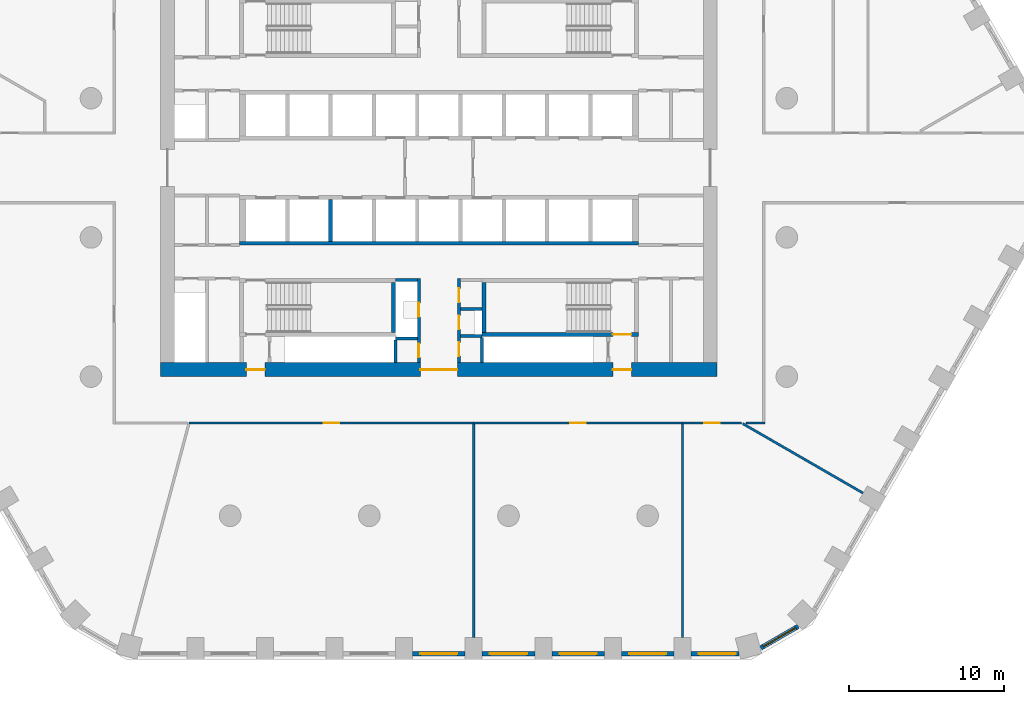
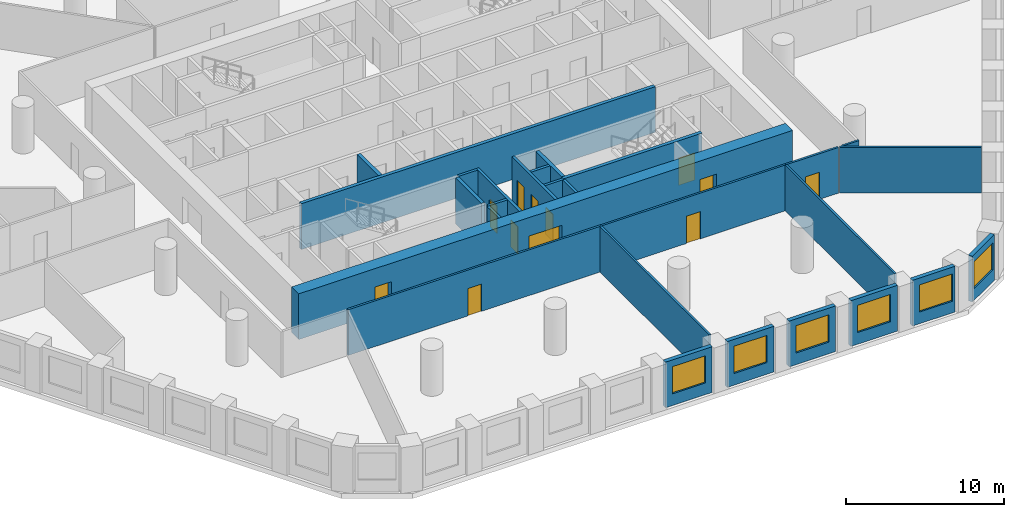
# One storey, part 3 of 10: 27 walls, 12 doors, 6 windows, 18 openings.
"""IFC4 building model written with IfcOpenShell, lengths in metres."""

from ifc_helpers import new_model, si_unit, direction, frame, frame_2d, origin, place, context, subcontext, project, spatial, polyline, rectangle, outline, extrude, material, layer, layer_set, type_object, element, fill, save


model = new_model("IFC4")

# Units and contexts
model_context = context("Model", 3, precision=1e-05, world=origin(), true_north=direction((0.0, 1.0)))
body_context = subcontext(model_context, "Body", "Model", "MODEL_VIEW")
ifc_project = project(units=[si_unit("LENGTHUNIT", "METRE"), si_unit("AREAUNIT", "SQUARE_METRE"), si_unit("VOLUMEUNIT", "CUBIC_METRE"), si_unit("PLANEANGLEUNIT", "RADIAN"), si_unit("MASSUNIT", "GRAM", prefix="KILO")], contexts=[model_context])

# Site, building, storey
site_placement = place(None, origin())
site = spatial("IfcSite", under=ifc_project, at=site_placement, CompositionType="ELEMENT")
building_placement = place(site_placement, origin())
building = spatial("IfcBuilding", under=site, at=building_placement, Name="Dhurran Vertical Campus", CompositionType="ELEMENT")
storey_placement = place(building_placement, frame((0.0, 0.0, 57.300048828125)))
storey = spatial("IfcBuildingStorey", under=building, at=storey_placement, Name="L13", CompositionType="ELEMENT", Elevation=57.300048828125)

# Wall, opening, window
ifc_material_1 = material(Name="Precast concrete C50/60", Category="concrete")
ifc_layer_1 = layer(ifc_material_1, 0.300048828125)
ifc_layer_set_1 = layer_set([ifc_layer_1], Name="Precast concrete C50/60")
wall_type_1 = type_object("IfcWallType", Name="Precast spandrel wall 300", PredefinedType="SOLIDWALL", material=ifc_layer_set_1)
wall_1_placement = place(storey_placement, frame((-1.699462890625, -31.4296875, 0.0), z_axis=(0.0, 0.0, 1.0), x_axis=(1.0, 0.0, 0.0)))
wall_1 = element("IfcWall", 1, at=wall_1_placement, inside=storey, type_object=wall_type_1, Name="EW1 L13.04", PredefinedType="SOLIDWALL", context=body_context, shape_type="SweptSolid", body=[
    extrude(rectangle(XDim=3.39892578125, YDim=0.300048828125, at=frame_2d((1.699462890625, 0.0))), origin(), (0.0, 0.0, 1.0), 3.52490234375),
])
opening_1_placement = place(wall_1_placement, frame((0.49951171875, 0.0, 0.89990234375)))
opening_1 = element("IfcOpeningElement", 2, at=opening_1_placement, cuts=wall_1, Name="Opening WT1", PredefinedType="OPENING", context=body_context, shape_type="SweptSolid", body=[
    extrude(rectangle(XDim=2.39990234375, YDim=2.10009765625, at=frame_2d((1.199951171875, 1.050048828125))), frame((0.0, 0.159912109375, 0.0), z_axis=(0.0, -1.0, 0.0), x_axis=(1.0, 0.0, 0.0)), (0.0, 0.0, 1.0), 0.320068359375),
])
ifc_material_2 = material(Name="Aluminium frame with solar-control glass", Category="aluminium")
window_type = type_object("IfcWindowType", Name="Punched window 2400 x 2100", PartitioningType="SINGLE_PANEL", PredefinedType="WINDOW", material=ifc_material_2)
window_1_placement = place(opening_1_placement, origin())
window_1 = element("IfcWindow", 3, at=window_1_placement, inside=storey, type_object=window_type, Name="WT1 L13.04", OverallHeight=2.10009765625, OverallWidth=2.39990234375, PartitioningType="SINGLE_PANEL", PredefinedType="WINDOW", context=body_context, shape_type="SweptSolid", body=[
    extrude(rectangle(XDim=2.39990234375, YDim=2.10009765625, at=frame_2d((1.199951171875, 1.050048828125))), frame((0.0, 0.030029296875, 0.0), z_axis=(0.0, -1.0, 0.0), x_axis=(1.0, 0.0, 0.0)), (0.0, 0.0, 1.0), 0.06005859375),
])
fill(opening_1, window_1)

wall_2_placement = place(storey_placement, frame((2.800537109375, -31.4296875, 0.0), z_axis=(0.0, 0.0, 1.0), x_axis=(1.0, 0.0, 0.0)))
wall_2 = element("IfcWall", 4, at=wall_2_placement, inside=storey, type_object=wall_type_1, Name="EW1 L13.05", PredefinedType="SOLIDWALL", context=body_context, shape_type="SweptSolid", body=[
    extrude(rectangle(XDim=3.39892578125, YDim=0.300048828125, at=frame_2d((1.699462890625, 0.0))), origin(), (0.0, 0.0, 1.0), 3.52490234375),
])
opening_2_placement = place(wall_2_placement, frame((0.49951171875, 0.0, 0.89990234375)))
opening_2 = element("IfcOpeningElement", 5, at=opening_2_placement, cuts=wall_2, Name="Opening WT1", PredefinedType="OPENING", context=body_context, shape_type="SweptSolid", body=[
    extrude(rectangle(XDim=2.39990234375, YDim=2.10009765625, at=frame_2d((1.199951171875, 1.050048828125))), frame((0.0, 0.159912109375, 0.0), z_axis=(0.0, -1.0, 0.0), x_axis=(1.0, 0.0, 0.0)), (0.0, 0.0, 1.0), 0.320068359375),
])
window_2_placement = place(opening_2_placement, origin())
window_2 = element("IfcWindow", 6, at=window_2_placement, inside=storey, type_object=window_type, Name="WT1 L13.05", OverallHeight=2.10009765625, OverallWidth=2.39990234375, PartitioningType="SINGLE_PANEL", PredefinedType="WINDOW", context=body_context, shape_type="SweptSolid", body=[
    extrude(rectangle(XDim=2.39990234375, YDim=2.10009765625, at=frame_2d((1.199951171875, 1.050048828125))), frame((0.0, 0.030029296875, 0.0), z_axis=(0.0, -1.0, 0.0), x_axis=(1.0, 0.0, 0.0)), (0.0, 0.0, 1.0), 0.06005859375),
])
fill(opening_2, window_2)

wall_3_placement = place(storey_placement, frame((7.300537109375, -31.4296875, 0.0), z_axis=(0.0, 0.0, 1.0), x_axis=(1.0, 0.0, 0.0)))
wall_3 = element("IfcWall", 7, at=wall_3_placement, inside=storey, type_object=wall_type_1, Name="EW1 L13.06", PredefinedType="SOLIDWALL", context=body_context, shape_type="SweptSolid", body=[
    extrude(rectangle(XDim=3.39892578125, YDim=0.300048828125, at=frame_2d((1.699462890625, 0.0))), origin(), (0.0, 0.0, 1.0), 3.52490234375),
])
opening_3_placement = place(wall_3_placement, frame((0.49951171875, 0.0, 0.89990234375)))
opening_3 = element("IfcOpeningElement", 8, at=opening_3_placement, cuts=wall_3, Name="Opening WT1", PredefinedType="OPENING", context=body_context, shape_type="SweptSolid", body=[
    extrude(rectangle(XDim=2.39990234375, YDim=2.10009765625, at=frame_2d((1.199951171875, 1.050048828125))), frame((0.0, 0.159912109375, 0.0), z_axis=(0.0, -1.0, 0.0), x_axis=(1.0, 0.0, 0.0)), (0.0, 0.0, 1.0), 0.320068359375),
])
window_3_placement = place(opening_3_placement, origin())
window_3 = element("IfcWindow", 9, at=window_3_placement, inside=storey, type_object=window_type, Name="WT1 L13.06", OverallHeight=2.10009765625, OverallWidth=2.39990234375, PartitioningType="SINGLE_PANEL", PredefinedType="WINDOW", context=body_context, shape_type="SweptSolid", body=[
    extrude(rectangle(XDim=2.39990234375, YDim=2.10009765625, at=frame_2d((1.199951171875, 1.050048828125))), frame((0.0, 0.030029296875, 0.0), z_axis=(0.0, -1.0, 0.0), x_axis=(1.0, 0.0, 0.0)), (0.0, 0.0, 1.0), 0.06005859375),
])
fill(opening_3, window_3)

wall_4_placement = place(storey_placement, frame((11.800537109375, -31.4296875, 0.0), z_axis=(0.0, 0.0, 1.0), x_axis=(1.0, 0.0, 0.0)))
wall_4 = element("IfcWall", 10, at=wall_4_placement, inside=storey, type_object=wall_type_1, Name="EW1 L13.07", PredefinedType="SOLIDWALL", context=body_context, shape_type="SweptSolid", body=[
    extrude(rectangle(XDim=3.39892578125, YDim=0.300048828125, at=frame_2d((1.699462890625, 0.0))), origin(), (0.0, 0.0, 1.0), 3.52490234375),
])
opening_4_placement = place(wall_4_placement, frame((0.49951171875, 0.0, 0.89990234375)))
opening_4 = element("IfcOpeningElement", 11, at=opening_4_placement, cuts=wall_4, Name="Opening WT1", PredefinedType="OPENING", context=body_context, shape_type="SweptSolid", body=[
    extrude(rectangle(XDim=2.39990234375, YDim=2.10009765625, at=frame_2d((1.199951171875, 1.050048828125))), frame((0.0, 0.159912109375, 0.0), z_axis=(0.0, -1.0, 0.0), x_axis=(1.0, 0.0, 0.0)), (0.0, 0.0, 1.0), 0.320068359375),
])
window_4_placement = place(opening_4_placement, origin())
window_4 = element("IfcWindow", 12, at=window_4_placement, inside=storey, type_object=window_type, Name="WT1 L13.07", OverallHeight=2.10009765625, OverallWidth=2.39990234375, PartitioningType="SINGLE_PANEL", PredefinedType="WINDOW", context=body_context, shape_type="SweptSolid", body=[
    extrude(rectangle(XDim=2.39990234375, YDim=2.10009765625, at=frame_2d((1.199951171875, 1.050048828125))), frame((0.0, 0.030029296875, 0.0), z_axis=(0.0, -1.0, 0.0), x_axis=(1.0, 0.0, 0.0)), (0.0, 0.0, 1.0), 0.06005859375),
])
fill(opening_4, window_4)

wall_5_placement = place(storey_placement, frame((16.300537109375, -31.4296875, 0.0), z_axis=(0.0, 0.0, 1.0), x_axis=(1.0, 0.0, 0.0)))
wall_5 = element("IfcWall", 13, at=wall_5_placement, inside=storey, type_object=wall_type_1, Name="EW1 L13.08", PredefinedType="SOLIDWALL", context=body_context, shape_type="SweptSolid", body=[
    extrude(rectangle(XDim=3.090576171875, YDim=0.300048828125, at=frame_2d((1.54541015625, 0.0))), origin(), (0.0, 0.0, 1.0), 3.52490234375),
])
opening_5_placement = place(wall_5_placement, frame((0.49951171875, 0.0, 0.89990234375)))
opening_5 = element("IfcOpeningElement", 14, at=opening_5_placement, cuts=wall_5, Name="Opening WT1", PredefinedType="OPENING", context=body_context, shape_type="SweptSolid", body=[
    extrude(rectangle(XDim=2.39990234375, YDim=2.10009765625, at=frame_2d((1.199951171875, 1.050048828125))), frame((0.0, 0.159912109375, 0.0), z_axis=(0.0, -1.0, 0.0), x_axis=(1.0, 0.0, 0.0)), (0.0, 0.0, 1.0), 0.320068359375),
])
window_5_placement = place(opening_5_placement, origin())
window_5 = element("IfcWindow", 15, at=window_5_placement, inside=storey, type_object=window_type, Name="WT1 L13.08", OverallHeight=2.10009765625, OverallWidth=2.39990234375, PartitioningType="SINGLE_PANEL", PredefinedType="WINDOW", context=body_context, shape_type="SweptSolid", body=[
    extrude(rectangle(XDim=2.39990234375, YDim=2.10009765625, at=frame_2d((1.199951171875, 1.050048828125))), frame((0.0, 0.030029296875, 0.0), z_axis=(0.0, -1.0, 0.0), x_axis=(1.0, 0.0, 0.0)), (0.0, 0.0, 1.0), 0.06005859375),
])
fill(opening_5, window_5)

wall_6_placement = place(storey_placement, frame((20.81884765625, -31.047119140625, 0.0), z_axis=(0.0, 0.0, 1.0), x_axis=(0.866020456713, 0.500008568482, 0.0)))
wall_6 = element("IfcWall", 16, at=wall_6_placement, inside=storey, type_object=wall_type_1, Name="EW1 L13.09", PredefinedType="SOLIDWALL", context=body_context, shape_type="SweptSolid", body=[
    extrude(rectangle(XDim=2.7822265625, YDim=0.300048828125, at=frame_2d((1.39111328125, 0.0))), origin(), (0.0, 0.0, 1.0), 3.52490234375),
])
opening_6_placement = place(wall_6_placement, frame((0.191162109375, 0.0, 0.89990234375)))
opening_6 = element("IfcOpeningElement", 17, at=opening_6_placement, cuts=wall_6, Name="Opening WT1", PredefinedType="OPENING", context=body_context, shape_type="SweptSolid", body=[
    extrude(rectangle(XDim=2.39990234375, YDim=2.10009765625, at=frame_2d((1.199951171875, 1.050048828125))), frame((0.0, 0.159912109375, 0.0), z_axis=(0.0, -1.0, 0.0), x_axis=(1.0, 0.0, 0.0)), (0.0, 0.0, 1.0), 0.320068359375),
])
window_6_placement = place(opening_6_placement, origin())
window_6 = element("IfcWindow", 18, at=window_6_placement, inside=storey, type_object=window_type, Name="WT1 L13.09", OverallHeight=2.10009765625, OverallWidth=2.39990234375, PartitioningType="SINGLE_PANEL", PredefinedType="WINDOW", context=body_context, shape_type="SweptSolid", body=[
    extrude(rectangle(XDim=2.39990234375, YDim=2.10009765625, at=frame_2d((1.199951171875, 1.050048828125))), frame((0.0, 0.030029296875, 0.0), z_axis=(0.0, -1.0, 0.0), x_axis=(1.0, 0.0, 0.0)), (0.0, 0.0, 1.0), 0.06005859375),
])
fill(opening_6, window_6)

# Wall, openings, doors
ifc_material_3 = material(Name="Concrete C60/75", Category="concrete")
ifc_layer_2 = layer(ifc_material_3, 0.89990234375)
ifc_layer_set_2 = layer_set([ifc_layer_2], Name="Concrete C60/75")
wall_type_2 = type_object("IfcWallType", Name="co-CORE-WALL-C0-900", PredefinedType="SHEAR", material=ifc_layer_set_2)
wall_7_placement = place(storey_placement, frame((-18.0, -13.050048828125, 0.0), z_axis=(0.0, 0.0, 1.0), x_axis=(1.0, 0.0, 0.0)))
wall_7 = element("IfcWall", 19, at=wall_7_placement, inside=storey, type_object=wall_type_2, Name="Core wall S L13", PredefinedType="SHEAR", context=body_context, shape_type="SweptSolid", body=[
    extrude(rectangle(XDim=36.0, YDim=0.89990234375, at=frame_2d((18.0, 0.0))), origin(), (0.0, 0.0, 1.0), 3.52490234375),
])
opening_7_placement = place(wall_7_placement, frame((16.800048828125, 0.0, 0.0)))
opening_7 = element("IfcOpeningElement", 20, at=opening_7_placement, cuts=wall_7, Name="Opening CV2", PredefinedType="OPENING", context=body_context, shape_type="SweptSolid", body=[
    extrude(rectangle(XDim=2.39990234375, YDim=2.10009765625, at=frame_2d((1.199951171875, 1.050048828125))), frame((0.0, 0.4599609375, 0.0), z_axis=(0.0, -1.0, 0.0), x_axis=(1.0, 0.0, 0.0)), (0.0, 0.0, 1.0), 0.919921875),
])
opening_8_placement = place(wall_7_placement, frame((5.550048828125, 0.0, 0.0)))
opening_8 = element("IfcOpeningElement", 21, at=opening_8_placement, cuts=wall_7, Name="Opening XD3", PredefinedType="OPENING", context=body_context, shape_type="SweptSolid", body=[
    extrude(rectangle(XDim=1.199951171875, YDim=2.10009765625, at=frame_2d((0.60009765625, 1.050048828125))), frame((0.0, 0.4599609375, 0.0), z_axis=(0.0, -1.0, 0.0), x_axis=(1.0, 0.0, 0.0)), (0.0, 0.0, 1.0), 0.919921875),
])
opening_9_placement = place(wall_7_placement, frame((29.25, 0.0, 0.0)))
opening_9 = element("IfcOpeningElement", 22, at=opening_9_placement, cuts=wall_7, Name="Opening XD4", PredefinedType="OPENING", context=body_context, shape_type="SweptSolid", body=[
    extrude(rectangle(XDim=1.199951171875, YDim=2.10009765625, at=frame_2d((0.60009765625, 1.050048828125))), frame((0.0, 0.4599609375, 0.0), z_axis=(0.0, -1.0, 0.0), x_axis=(1.0, 0.0, 0.0)), (0.0, 0.0, 1.0), 0.919921875),
])
ifc_material_4 = material(Name="Fire-rated glazed door set")
door_type_1 = type_object("IfcDoorType", Name="co-D-LOBBY 2400x2100", OperationType="DOUBLE_DOOR_DOUBLE_SWING", PredefinedType="DOOR", material=ifc_material_4)
door_1_placement = place(opening_7_placement, origin())
door_1 = element("IfcDoor", 23, at=door_1_placement, inside=storey, type_object=door_type_1, Name="Core vestibule door S L13", OperationType="DOUBLE_DOOR_DOUBLE_SWING", OverallHeight=2.10009765625, OverallWidth=2.39990234375, PredefinedType="DOOR", context=body_context, shape_type="SweptSolid", body=[
    extrude(rectangle(XDim=2.39990234375, YDim=2.10009765625, at=frame_2d((1.199951171875, 1.050048828125))), frame((0.0, 0.02490234375, 0.0), z_axis=(0.0, -1.0, 0.0), x_axis=(1.0, 0.0, 0.0)), (0.0, 0.0, 1.0), 0.050048828125),
])
fill(opening_7, door_1)
ifc_material_5 = material(Name="Fire-rated steel door set", Category="steel")
door_type_2 = type_object("IfcDoorType", Name="co-D-STAIR-EXIT 1200x2100", OperationType="SINGLE_SWING_RIGHT", PredefinedType="DOOR", material=ifc_material_5)
door_2_placement = place(opening_8_placement, origin())
door_2 = element("IfcDoor", 24, at=door_2_placement, inside=storey, type_object=door_type_2, Name="Stair ST3 exit door L13", OperationType="SINGLE_SWING_RIGHT", OverallHeight=2.10009765625, OverallWidth=1.199951171875, PredefinedType="DOOR", context=body_context, shape_type="SweptSolid", body=[
    extrude(rectangle(XDim=1.199951171875, YDim=2.10009765625, at=frame_2d((0.60009765625, 1.050048828125))), frame((0.0, 0.02490234375, 0.0), z_axis=(0.0, -1.0, 0.0), x_axis=(1.0, 0.0, 0.0)), (0.0, 0.0, 1.0), 0.050048828125),
])
fill(opening_8, door_2)
door_3_placement = place(opening_9_placement, origin())
door_3 = element("IfcDoor", 25, at=door_3_placement, inside=storey, type_object=door_type_2, Name="Stair ST4 exit door L13", OperationType="SINGLE_SWING_RIGHT", OverallHeight=2.10009765625, OverallWidth=1.199951171875, PredefinedType="DOOR", context=body_context, shape_type="SweptSolid", body=[
    extrude(rectangle(XDim=1.199951171875, YDim=2.10009765625, at=frame_2d((0.60009765625, 1.050048828125))), frame((0.0, 0.02490234375, 0.0), z_axis=(0.0, -1.0, 0.0), x_axis=(1.0, 0.0, 0.0)), (0.0, 0.0, 1.0), 0.050048828125),
])
fill(opening_9, door_3)

# Walls
ifc_material_6 = material(Name="Fire-rated masonry blockwork", Category="masonry")
ifc_layer_3 = layer(ifc_material_6, 0.199951171875)
ifc_layer_set_3 = layer_set([ifc_layer_3], Name="Fire-rated masonry blockwork")
wall_type_3 = type_object("IfcWallType", Name="co-FIRE-PARTITION-200", PredefinedType="PARTITIONING", material=ifc_layer_set_3)
for number, where, z_axis, x_axis, name in (
    (26, (-2.800048828125, -7.25, 0.0), (0.0, 0.0, 1.0), (1.0, 0.0, 0.0), "Core partition sl-SW-S L13"),
    (27, (-2.800048828125, -11.02490234375, 0.0), (0.0, 0.0, 1.0), (1.0, 0.0, 0.0), "Core partition sl-SW-cut0 L13"),
    (28, (1.39990234375, -9.135009765625, 0.0), (0.0, 0.0, 1.0), (1.0, 0.0, 0.0), "Core partition sl-SE-cut0 L13"),
    (29, (1.39990234375, -10.867431640625, 0.0), (0.0, 0.0, 1.0), (1.0, 0.0, 0.0), "Core partition sl-SE-cut1 L13"),
):
    element("IfcWall", number, at=place(storey_placement, frame(where, z_axis=z_axis, x_axis=x_axis)), inside=storey, type_object=wall_type_3, Name=name, PredefinedType="PARTITIONING", context=body_context, shape_type="SweptSolid", body=[
        extrude(rectangle(XDim=1.400146484375, YDim=0.199951171875, at=frame_2d((0.7001953125, 0.0))), origin(), (0.0, 0.0, 1.0), 3.52490234375),
    ])

# Wall, openings, doors
wall_8_placement = place(storey_placement, frame((-1.300048828125, -12.60009765625, 0.0), z_axis=(0.0, 0.0, 1.0), x_axis=(0.0, 1.0, 0.0)))
wall_8 = element("IfcWall", 30, at=wall_8_placement, inside=storey, type_object=wall_type_3, Name="Core partition vest-SW L13", PredefinedType="PARTITIONING", context=body_context, shape_type="SweptSolid", body=[
    extrude(rectangle(XDim=5.4501953125, YDim=0.199951171875, at=frame_2d((2.72509765625, 0.0))), origin(), (0.0, 0.0, 1.0), 3.52490234375),
])
opening_10_placement = place(wall_8_placement, frame((0.33740234375, 0.0, 0.0)))
opening_10 = element("IfcOpeningElement", 31, at=opening_10_placement, cuts=wall_8, Name="Opening T03-C1", PredefinedType="OPENING", context=body_context, shape_type="SweptSolid", body=[
    extrude(rectangle(XDim=0.89990234375, YDim=2.10009765625, at=frame_2d((0.449951171875, 1.050048828125))), frame((0.0, 0.10986328125, 0.0), z_axis=(0.0, -1.0, 0.0), x_axis=(1.0, 0.0, 0.0)), (0.0, 0.0, 1.0), 0.219970703125),
])
opening_11_placement = place(wall_8_placement, frame((2.96240234375, 0.0, 0.0)))
opening_11 = element("IfcOpeningElement", 32, at=opening_11_placement, cuts=wall_8, Name="Opening T03-C2", PredefinedType="OPENING", context=body_context, shape_type="SweptSolid", body=[
    extrude(rectangle(XDim=0.89990234375, YDim=2.10009765625, at=frame_2d((0.449951171875, 1.050048828125))), frame((0.0, 0.10986328125, 0.0), z_axis=(0.0, -1.0, 0.0), x_axis=(1.0, 0.0, 0.0)), (0.0, 0.0, 1.0), 0.219970703125),
])
ifc_material_7 = material(Name="Fire-rated timber door set", Category="wood")
door_type_3 = type_object("IfcDoorType", Name="co-D-ROOM 900x2100", OperationType="SINGLE_SWING_LEFT", PredefinedType="DOOR", material=ifc_material_7)
door_4_placement = place(opening_10_placement, origin())
door_4 = element("IfcDoor", 33, at=door_4_placement, inside=storey, type_object=door_type_3, Name="Plant room door L13", OperationType="SINGLE_SWING_LEFT", OverallHeight=2.10009765625, OverallWidth=0.89990234375, PredefinedType="DOOR", context=body_context, shape_type="SweptSolid", body=[
    extrude(rectangle(XDim=0.89990234375, YDim=2.10009765625, at=frame_2d((0.449951171875, 1.050048828125))), frame((0.0, 0.02490234375, 0.0), z_axis=(0.0, -1.0, 0.0), x_axis=(1.0, 0.0, 0.0)), (0.0, 0.0, 1.0), 0.050048828125),
])
fill(opening_10, door_4)
door_5_placement = place(opening_11_placement, origin())
door_5 = element("IfcDoor", 34, at=door_5_placement, inside=storey, type_object=door_type_3, Name="Water riser door L13", OperationType="SINGLE_SWING_LEFT", OverallHeight=2.10009765625, OverallWidth=0.89990234375, PredefinedType="DOOR", context=body_context, shape_type="SweptSolid", body=[
    extrude(rectangle(XDim=0.89990234375, YDim=2.10009765625, at=frame_2d((0.449951171875, 1.050048828125))), frame((0.0, 0.02490234375, 0.0), z_axis=(0.0, -1.0, 0.0), x_axis=(1.0, 0.0, 0.0)), (0.0, 0.0, 1.0), 0.050048828125),
])
fill(opening_11, door_5)

wall_9_placement = place(storey_placement, frame((1.300048828125, -12.60009765625, 0.0), z_axis=(0.0, 0.0, 1.0), x_axis=(0.0, 1.0, 0.0)))
wall_9 = element("IfcWall", 35, at=wall_9_placement, inside=storey, type_object=wall_type_3, Name="Core partition vest-SE L13", PredefinedType="PARTITIONING", context=body_context, shape_type="SweptSolid", body=[
    extrude(rectangle(XDim=5.4501953125, YDim=0.199951171875, at=frame_2d((2.72509765625, 0.0))), origin(), (0.0, 0.0, 1.0), 3.52490234375),
])
opening_12_placement = place(wall_9_placement, frame((0.416259765625, 0.0, 0.0)))
opening_12 = element("IfcOpeningElement", 36, at=opening_12_placement, cuts=wall_9, Name="Opening T03-C3", PredefinedType="OPENING", context=body_context, shape_type="SweptSolid", body=[
    extrude(rectangle(XDim=0.89990234375, YDim=2.10009765625, at=frame_2d((0.449951171875, 1.050048828125))), frame((0.0, 0.10986328125, 0.0), z_axis=(0.0, -1.0, 0.0), x_axis=(1.0, 0.0, 0.0)), (0.0, 0.0, 1.0), 0.219970703125),
])
opening_13_placement = place(wall_9_placement, frame((2.148681640625, 0.0, 0.0)))
opening_13 = element("IfcOpeningElement", 37, at=opening_13_placement, cuts=wall_9, Name="Opening T03-C4", PredefinedType="OPENING", context=body_context, shape_type="SweptSolid", body=[
    extrude(rectangle(XDim=0.89990234375, YDim=2.10009765625, at=frame_2d((0.449951171875, 1.050048828125))), frame((0.0, 0.10986328125, 0.0), z_axis=(0.0, -1.0, 0.0), x_axis=(1.0, 0.0, 0.0)), (0.0, 0.0, 1.0), 0.219970703125),
])
opening_14_placement = place(wall_9_placement, frame((3.907470703125, 0.0, 0.0)))
opening_14 = element("IfcOpeningElement", 38, at=opening_14_placement, cuts=wall_9, Name="Opening T03-C5", PredefinedType="OPENING", context=body_context, shape_type="SweptSolid", body=[
    extrude(rectangle(XDim=0.89990234375, YDim=2.10009765625, at=frame_2d((0.449951171875, 1.050048828125))), frame((0.0, 0.10986328125, 0.0), z_axis=(0.0, -1.0, 0.0), x_axis=(1.0, 0.0, 0.0)), (0.0, 0.0, 1.0), 0.219970703125),
])
door_6_placement = place(opening_12_placement, origin())
door_6 = element("IfcDoor", 39, at=door_6_placement, inside=storey, type_object=door_type_3, Name="Waste room door L13", OperationType="SINGLE_SWING_LEFT", OverallHeight=2.10009765625, OverallWidth=0.89990234375, PredefinedType="DOOR", context=body_context, shape_type="SweptSolid", body=[
    extrude(rectangle(XDim=0.89990234375, YDim=2.10009765625, at=frame_2d((0.449951171875, 1.050048828125))), frame((0.0, 0.02490234375, 0.0), z_axis=(0.0, -1.0, 0.0), x_axis=(1.0, 0.0, 0.0)), (0.0, 0.0, 1.0), 0.050048828125),
])
fill(opening_12, door_6)
door_7_placement = place(opening_13_placement, origin())
door_7 = element("IfcDoor", 40, at=door_7_placement, inside=storey, type_object=door_type_3, Name="Electrical riser door L13", OperationType="SINGLE_SWING_LEFT", OverallHeight=2.10009765625, OverallWidth=0.89990234375, PredefinedType="DOOR", context=body_context, shape_type="SweptSolid", body=[
    extrude(rectangle(XDim=0.89990234375, YDim=2.10009765625, at=frame_2d((0.449951171875, 1.050048828125))), frame((0.0, 0.02490234375, 0.0), z_axis=(0.0, -1.0, 0.0), x_axis=(1.0, 0.0, 0.0)), (0.0, 0.0, 1.0), 0.050048828125),
])
fill(opening_13, door_7)
door_8_placement = place(opening_14_placement, origin())
door_8 = element("IfcDoor", 41, at=door_8_placement, inside=storey, type_object=door_type_3, Name="Housekeeping store door L13", OperationType="SINGLE_SWING_LEFT", OverallHeight=2.10009765625, OverallWidth=0.89990234375, PredefinedType="DOOR", context=body_context, shape_type="SweptSolid", body=[
    extrude(rectangle(XDim=0.89990234375, YDim=2.10009765625, at=frame_2d((0.449951171875, 1.050048828125))), frame((0.0, 0.02490234375, 0.0), z_axis=(0.0, -1.0, 0.0), x_axis=(1.0, 0.0, 0.0)), (0.0, 0.0, 1.0), 0.050048828125),
])
fill(opening_14, door_8)

# Walls
wall_10_placement = place(storey_placement, frame((-2.800048828125, -12.59912109375, 0.0), z_axis=(0.0, 0.0, 1.0), x_axis=(0.0, 1.0, 0.0)))
element("IfcWall", 42, at=wall_10_placement, inside=storey, type_object=wall_type_3, Name="Riser enclosure wall L13", PredefinedType="PARTITIONING", context=body_context, shape_type="SweptSolid", body=[
    extrude(rectangle(XDim=1.47314453125, YDim=0.199951171875, at=frame_2d((0.736572265625, 0.0))), origin(), (0.0, 0.0, 1.0), 3.52490234375),
])
wall_11_placement = place(storey_placement, frame((2.800048828125, -10.968505859375, 0.0), z_axis=(0.0, 0.0, 1.0), x_axis=(0.0, -1.0, 0.0)))
element("IfcWall", 43, at=wall_11_placement, inside=storey, type_object=wall_type_3, Name="Riser enclosure wall L13", PredefinedType="PARTITIONING", context=body_context, shape_type="SweptSolid", body=[
    extrude(rectangle(XDim=1.630615234375, YDim=0.199951171875, at=frame_2d((0.8154296875, 0.0))), origin(), (0.0, 0.0, 1.0), 3.52490234375),
])
ifc_material_8 = material(Name="Concrete C50/60", Category="concrete")
ifc_layer_4 = layer(ifc_material_8, 0.25)
ifc_layer_set_4 = layer_set([ifc_layer_4], Name="Concrete C50/60")
wall_type_4 = type_object("IfcWallType", Name="co-SHAFT-MASS-250", PredefinedType="SHEAR", material=ifc_layer_set_4)
wall_12_placement = place(storey_placement, origin())
element("IfcWall", 44, at=wall_12_placement, inside=storey, type_object=wall_type_4, Name="Lift shaft wall S L13 1", PredefinedType="SHEAR", context=body_context, shape_type="SweptSolid", body=[
    extrude(outline(polyline([(-12.89990234375, -5.0), (12.89990234375, -5.0), (12.89990234375, -4.75), (-12.89990234375, -4.75), (-12.89990234375, -5.0)])), origin(), (0.0, 0.0, 1.0), 3.52490234375),
])
wall_13_placement = place(storey_placement, origin())
element("IfcWall", 45, at=wall_13_placement, inside=storey, type_object=wall_type_4, Name="Lift shaft wall S L13 4", PredefinedType="SHEAR", context=body_context, shape_type="SweptSolid", body=[
    extrude(outline(polyline([(-7.125, -4.75), (-6.875, -4.75), (-6.875, -2.050048828125), (-7.125, -2.050048828125), (-7.125, -4.75)])), origin(), (0.0, 0.0, 1.0), 3.52490234375),
])
ifc_material_9 = material(Name="Concrete C40/50", Category="concrete")
ifc_layer_5 = layer(ifc_material_9, 0.25)
ifc_layer_set_5 = layer_set([ifc_layer_5], Name="Concrete C40/50")
wall_type_5 = type_object("IfcWallType", Name="co-STAIR-WALL-250", PredefinedType="SHEAR", material=ifc_layer_set_5)
wall_14_placement = place(storey_placement, frame((-2.925048828125, -10.64990234375, 0.0), z_axis=(0.0, 0.0, 1.0), x_axis=(0.0, 1.0, 0.0)))
element("IfcWall", 46, at=wall_14_placement, inside=storey, type_object=wall_type_5, Name="Stair ST3 enclosure wall L13", PredefinedType="SHEAR", context=body_context, shape_type="SweptSolid", body=[
    extrude(rectangle(XDim=3.25, YDim=0.25, at=frame_2d((1.625, 0.0))), origin(), (0.0, 0.0, 1.0), 3.52490234375),
])

# Wall, opening, door
wall_15_placement = place(storey_placement, frame((2.800048828125, -10.77490234375, 0.0), z_axis=(0.0, 0.0, 1.0), x_axis=(1.0, 0.0, 0.0)))
wall_15 = element("IfcWall", 47, at=wall_15_placement, inside=storey, type_object=wall_type_5, Name="Stair ST4 enclosure wall L13", PredefinedType="SHEAR", context=body_context, shape_type="SweptSolid", body=[
    extrude(rectangle(XDim=10.099853515625, YDim=0.25, at=frame_2d((5.0498046875, 0.0))), origin(), (0.0, 0.0, 1.0), 3.52490234375),
])
opening_15_placement = place(wall_15_placement, frame((8.449951171875, 0.0, 0.0)))
opening_15 = element("IfcOpeningElement", 48, at=opening_15_placement, cuts=wall_15, Name="Opening XS4", PredefinedType="OPENING", context=body_context, shape_type="SweptSolid", body=[
    extrude(rectangle(XDim=1.199951171875, YDim=2.10009765625, at=frame_2d((0.60009765625, 1.050048828125))), frame((0.0, 0.135009765625, 0.0), z_axis=(0.0, -1.0, 0.0), x_axis=(1.0, 0.0, 0.0)), (0.0, 0.0, 1.0), 0.27001953125),
])
door_9_placement = place(opening_15_placement, origin())
door_9 = element("IfcDoor", 49, at=door_9_placement, inside=storey, type_object=door_type_2, Name="Stair ST4 discharge door L13", OperationType="SINGLE_SWING_RIGHT", OverallHeight=2.10009765625, OverallWidth=1.199951171875, PredefinedType="DOOR", context=body_context, shape_type="SweptSolid", body=[
    extrude(rectangle(XDim=1.199951171875, YDim=2.10009765625, at=frame_2d((0.60009765625, 1.050048828125))), frame((0.0, 0.02490234375, 0.0), z_axis=(0.0, -1.0, 0.0), x_axis=(1.0, 0.0, 0.0)), (0.0, 0.0, 1.0), 0.050048828125),
])
fill(opening_15, door_9)

# Wall
wall_16_placement = place(storey_placement, frame((2.925048828125, -10.64990234375, 0.0), z_axis=(0.0, 0.0, 1.0), x_axis=(0.0, 1.0, 0.0)))
element("IfcWall", 50, at=wall_16_placement, inside=storey, type_object=wall_type_5, Name="Stair ST4 enclosure wall L13", PredefinedType="SHEAR", context=body_context, shape_type="SweptSolid", body=[
    extrude(rectangle(XDim=3.25, YDim=0.25, at=frame_2d((1.625, 0.0))), origin(), (0.0, 0.0, 1.0), 3.52490234375),
])

# Wall, opening, door
ifc_material_10 = material(Name="Gypsum board corridor wall on steel studs", Category="steel")
ifc_layer_6 = layer(ifc_material_10, 0.14990234375)
ifc_layer_set_6 = layer_set([ifc_layer_6], Name="Gypsum board corridor wall on steel studs")
wall_type_6 = type_object("IfcWallType", Name="fl-CW-150 corridor wall", PredefinedType="PARTITIONING", material=ifc_layer_set_6)
wall_17_placement = place(storey_placement, frame((-16.156005859375, -16.5, 0.0), z_axis=(0.0, 0.0, 1.0), x_axis=(1.0, 0.0, 0.0)))
wall_17 = element("IfcWall", 51, at=wall_17_placement, inside=storey, type_object=wall_type_6, Name="Partition 13-18", PredefinedType="PARTITIONING", context=body_context, shape_type="SweptSolid", body=[
    extrude(rectangle(XDim=18.406005859375, YDim=0.14990234375, at=frame_2d((9.203125, 0.0))), origin(), (0.0, 0.0, 1.0), 3.52490234375),
])
opening_16_placement = place(wall_17_placement, frame((8.702880859375, 0.0, 0.0)))
opening_16 = element("IfcOpeningElement", 52, at=opening_16_placement, cuts=wall_17, Name="Opening T03.07", PredefinedType="OPENING", context=body_context, shape_type="SweptSolid", body=[
    extrude(rectangle(XDim=1.0, YDim=2.10009765625, at=frame_2d((0.5, 1.050048828125))), frame((0.0, 0.0849609375, 0.0), z_axis=(0.0, -1.0, 0.0), x_axis=(1.0, 0.0, 0.0)), (0.0, 0.0, 1.0), 0.169921875),
])
ifc_material_11 = material(Name="Solid-core timber door set, fire-rated", Category="wood")
door_type_4 = type_object("IfcDoorType", Name="fl-D-1000x2100", OperationType="SINGLE_SWING_LEFT", PredefinedType="DOOR", material=ifc_material_11)
door_10_placement = place(opening_16_placement, origin())
door_10 = element("IfcDoor", 53, at=door_10_placement, inside=storey, type_object=door_type_4, Name="Door 13.07", OperationType="SINGLE_SWING_RIGHT", OverallHeight=2.10009765625, OverallWidth=1.0, PredefinedType="DOOR", context=body_context, shape_type="SweptSolid", body=[
    extrude(rectangle(XDim=1.0, YDim=2.10009765625, at=frame_2d((0.5, 1.050048828125))), frame((0.0, 0.02490234375, 0.0), z_axis=(0.0, -1.0, 0.0), x_axis=(1.0, 0.0, 0.0)), (0.0, 0.0, 1.0), 0.050048828125),
])
fill(opening_16, door_10)

wall_18_placement = place(storey_placement, frame((2.25, -16.5, 0.0), z_axis=(0.0, 0.0, 1.0), x_axis=(1.0, 0.0, 0.0)))
wall_18 = element("IfcWall", 54, at=wall_18_placement, inside=storey, type_object=wall_type_6, Name="Partition 13-25", PredefinedType="PARTITIONING", context=body_context, shape_type="SweptSolid", body=[
    extrude(rectangle(XDim=13.5, YDim=0.14990234375, at=frame_2d((6.75, 0.0))), origin(), (0.0, 0.0, 1.0), 3.52490234375),
])
opening_17_placement = place(wall_18_placement, frame((6.25, 0.0, 0.0)))
opening_17 = element("IfcOpeningElement", 55, at=opening_17_placement, cuts=wall_18, Name="Opening T03.11", PredefinedType="OPENING", context=body_context, shape_type="SweptSolid", body=[
    extrude(rectangle(XDim=1.0, YDim=2.10009765625, at=frame_2d((0.5, 1.050048828125))), frame((0.0, 0.0849609375, 0.0), z_axis=(0.0, -1.0, 0.0), x_axis=(1.0, 0.0, 0.0)), (0.0, 0.0, 1.0), 0.169921875),
])
door_11_placement = place(opening_17_placement, origin())
door_11 = element("IfcDoor", 56, at=door_11_placement, inside=storey, type_object=door_type_4, Name="Door 13.11", OperationType="SINGLE_SWING_LEFT", OverallHeight=2.10009765625, OverallWidth=1.0, PredefinedType="DOOR", context=body_context, shape_type="SweptSolid", body=[
    extrude(rectangle(XDim=1.0, YDim=2.10009765625, at=frame_2d((0.5, 1.050048828125))), frame((0.0, 0.02490234375, 0.0), z_axis=(0.0, -1.0, 0.0), x_axis=(1.0, 0.0, 0.0)), (0.0, 0.0, 1.0), 0.050048828125),
])
fill(opening_17, door_11)

wall_19_placement = place(storey_placement, frame((15.75, -16.5, 0.0), z_axis=(0.0, 0.0, 1.0), x_axis=(1.0, 0.0, 0.0)))
wall_19 = element("IfcWall", 57, at=wall_19_placement, inside=storey, type_object=wall_type_6, Name="Partition 13-38", PredefinedType="PARTITIONING", context=body_context, shape_type="SweptSolid", body=[
    extrude(rectangle(XDim=3.8291015625, YDim=0.14990234375, at=frame_2d((1.91455078125, 0.0))), origin(), (0.0, 0.0, 1.0), 3.52490234375),
])
opening_18_placement = place(wall_19_placement, frame((1.41455078125, 0.0, 0.0)))
opening_18 = element("IfcOpeningElement", 58, at=opening_18_placement, cuts=wall_19, Name="Opening T03.13", PredefinedType="OPENING", context=body_context, shape_type="SweptSolid", body=[
    extrude(rectangle(XDim=1.0, YDim=2.10009765625, at=frame_2d((0.5, 1.050048828125))), frame((0.0, 0.0849609375, 0.0), z_axis=(0.0, -1.0, 0.0), x_axis=(1.0, 0.0, 0.0)), (0.0, 0.0, 1.0), 0.169921875),
])
door_12_placement = place(opening_18_placement, origin())
door_12 = element("IfcDoor", 59, at=door_12_placement, inside=storey, type_object=door_type_4, Name="Door 13.13", OperationType="SINGLE_SWING_RIGHT", OverallHeight=2.10009765625, OverallWidth=1.0, PredefinedType="DOOR", context=body_context, shape_type="SweptSolid", body=[
    extrude(rectangle(XDim=1.0, YDim=2.10009765625, at=frame_2d((0.5, 1.050048828125))), frame((0.0, 0.02490234375, 0.0), z_axis=(0.0, -1.0, 0.0), x_axis=(1.0, 0.0, 0.0)), (0.0, 0.0, 1.0), 0.050048828125),
])
fill(opening_18, door_12)

# Walls
wall_20_placement = place(storey_placement, frame((19.85400390625, -16.5, 0.0), z_axis=(0.0, 0.0, 1.0), x_axis=(1.0, 0.0, 0.0)))
element("IfcWall", 60, at=wall_20_placement, inside=storey, type_object=wall_type_6, Name="Partition 13-39", PredefinedType="PARTITIONING", context=body_context, shape_type="SweptSolid", body=[
    extrude(rectangle(XDim=1.220947265625, YDim=0.14990234375, at=frame_2d((0.6103515625, 0.0))), origin(), (0.0, 0.0, 1.0), 3.52490234375),
])
ifc_material_12 = material(Name="Gypsum board partition on steel studs", Category="steel")
ifc_layer_7 = layer(ifc_material_12, 0.14990234375)
ifc_layer_set_7 = layer_set([ifc_layer_7], Name="Gypsum board partition on steel studs")
wall_type_7 = type_object("IfcWallType", Name="fl-PW-150 fixed partition", PredefinedType="PARTITIONING", material=ifc_layer_set_7)
for number, where, z_axis, x_axis, name in (
    (61, (2.25, -16.574951171875, 0.0), (0.0, 0.0, 1.0), (0.0, -1.0, 0.0), "Partition 13-24"),
    (62, (15.75, -16.574951171875, 0.0), (0.0, 0.0, 1.0), (0.0, -1.0, 0.0), "Partition 13-37"),
):
    element("IfcWall", number, at=place(storey_placement, frame(where, z_axis=z_axis, x_axis=x_axis)), inside=storey, type_object=wall_type_7, Name=name, PredefinedType="PARTITIONING", context=body_context, shape_type="SweptSolid", body=[
        extrude(rectangle(XDim=13.784912109375, YDim=0.14990234375, at=frame_2d((6.892578125, 0.0))), origin(), (0.0, 0.0, 1.0), 3.52490234375),
    ])
wall_21_placement = place(storey_placement, frame((19.643798828125, -16.53759765625, 0.0), z_axis=(0.0, 0.0, 1.0), x_axis=(0.866004853516, -0.500035592419, 0.0)))
element("IfcWall", 63, at=wall_21_placement, inside=storey, type_object=wall_type_7, Name="Partition 13-40", PredefinedType="PARTITIONING", context=body_context, shape_type="SweptSolid", body=[
    extrude(rectangle(XDim=8.975830078125, YDim=0.14990234375, at=frame_2d((4.48779296875, 0.0))), origin(), (0.0, 0.0, 1.0), 3.52490234375),
])

save(model, "model.ifc")
